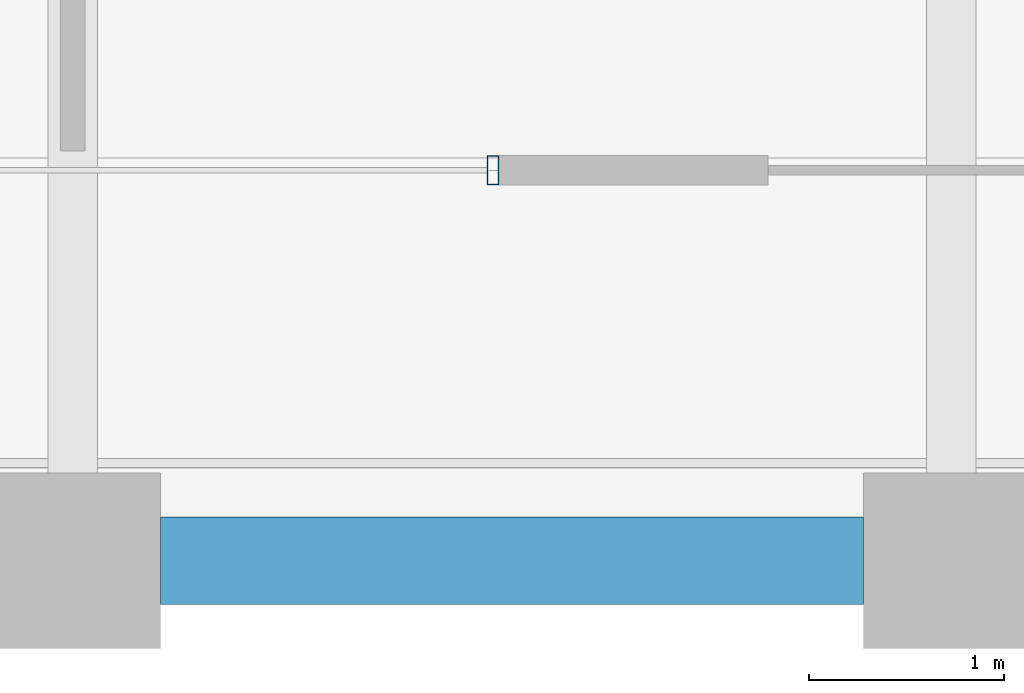
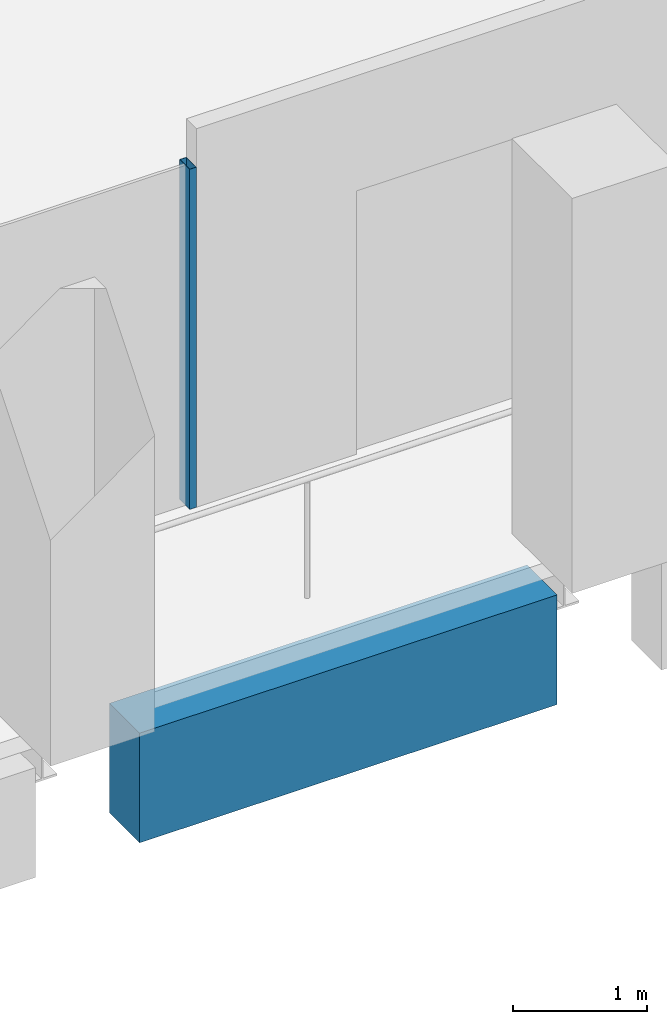
# One storey, part 7 of 40: 1 beam, 1 member, 1 element without a shape of its own.
"""IFC4 building model written with IfcOpenShell, lengths in metres."""

import ifcopenshell
import ifcopenshell.guid

model = None  # the IFC model being written
_history = None  # IfcOwnerHistory: only IFC2X3 demands one
_inside = {}  # id of a spatial element -> (the spatial element, [elements in it])
_under = {}  # id of a project, library or spatial element -> (it, [spatial elements below it])
_declared = {}  # id of a project -> (the project, [libraries it declares])
_typed = {}  # id of a type object -> (the type object, [elements of that type])
_made_of = {}  # id of a material, layer set ... -> (it, [elements and type objects made of it])


def new_model(schema):
    """Start an empty IFC model of exactly this schema.

    Asked for "IFC4X3", IfcOpenShell would pick the latest addendum, in which some entities
    have other attributes; the version numbers below select the first issue.
    IFC2X3 requires an IfcOwnerHistory on every rooted entity: one is made here for all.
    """
    global model, _history
    if schema == "IFC4X3":
        model = ifcopenshell.file(schema_version=(4, 3, 0, 0))
    else:
        model = ifcopenshell.file(schema=schema)
    _inside.clear()
    _under.clear()
    _declared.clear()
    _typed.clear()
    _made_of.clear()
    _history = None
    if model.schema == "IFC2X3":
        org = make("IfcOrganization", Name="unknown")
        user = make(
            "IfcPersonAndOrganization",
            ThePerson=make("IfcPerson", FamilyName="unknown"),
            TheOrganization=org,
        )
        app = make(
            "IfcApplication",
            ApplicationDeveloper=org,
            Version="unknown",
            ApplicationFullName="unknown",
            ApplicationIdentifier="unknown",
        )
        _history = make(
            "IfcOwnerHistory",
            OwningUser=user,
            OwningApplication=app,
            ChangeAction="ADDED",
            CreationDate=0,
        )
    return model


def make(cls, **values):
    """One entity of the class cls with the attributes given. An attribute that is None is left unset."""
    return model.create_entity(
        cls, **{name: value for name, value in values.items() if value is not None}
    )


def rooted(cls, **values):
    """An entity with a GlobalId (a new one), such as an element, a storey or a relation."""
    return make(cls, GlobalId=ifcopenshell.guid.new(), OwnerHistory=_history, **values)


def si_unit(unit_type, name, prefix=None):
    """IfcSIUnit, for example si_unit("LENGTHUNIT", "METRE", prefix="MILLI")."""
    return make("IfcSIUnit", UnitType=unit_type, Prefix=prefix, Name=name)


def assignment(units):
    """IfcUnitAssignment: the units of a project."""
    return None if units is None else make("IfcUnitAssignment", Units=units)


def point(xyz):
    """IfcCartesianPoint."""
    return None if xyz is None else make("IfcCartesianPoint", Coordinates=xyz)


def direction(xyz):
    """IfcDirection."""
    return None if xyz is None else make("IfcDirection", DirectionRatios=xyz)


def frame(location, z_axis=None, x_axis=None):
    """IfcAxis2Placement3D, a coordinate frame: its origin and axes. An axis left out is left unset."""
    return make(
        "IfcAxis2Placement3D",
        Location=point(location),
        Axis=direction(z_axis),
        RefDirection=direction(x_axis),
    )


def frame_2d(location, x_axis=None):
    """IfcAxis2Placement2D, a coordinate frame in the plane: its origin and x axis."""
    return make(
        "IfcAxis2Placement2D", Location=point(location), RefDirection=direction(x_axis)
    )


def origin():
    """The frame at (0, 0, 0) with its axes left unset."""
    return frame((0.0, 0.0, 0.0))


def origin_2d():
    """The frame at (0, 0) in the plane with its x axis left unset."""
    return frame_2d((0.0, 0.0))


def place(relative_to, where):
    """IfcLocalPlacement: puts the frame where relative to a parent placement (None: the world)."""
    return make(
        "IfcLocalPlacement", PlacementRelTo=relative_to, RelativePlacement=where
    )


def context(
    kind, dimensions, precision=None, world=None, true_north=None, identifier=None
):
    """IfcGeometricRepresentationContext, for example the 3D "Model" context."""
    return make(
        "IfcGeometricRepresentationContext",
        ContextIdentifier=identifier,
        ContextType=kind,
        CoordinateSpaceDimension=dimensions,
        Precision=precision,
        WorldCoordinateSystem=world,
        TrueNorth=true_north,
    )


def subcontext(parent, identifier, kind, view, scale=None):
    """IfcGeometricRepresentationSubContext, for example "Body" below "Model"."""
    return make(
        "IfcGeometricRepresentationSubContext",
        ContextIdentifier=identifier,
        ContextType=kind,
        ParentContext=parent,
        TargetScale=scale,
        TargetView=view,
    )


def project(units=None, contexts=None):
    """IfcProject with its units and contexts."""
    return rooted(
        "IfcProject",
        Name="project",
        RepresentationContexts=contexts,
        UnitsInContext=assignment(units),
    )


def spatial(cls, under=None, at=None, **own):
    """A site, building, storey or space (cls), placed at a placement, below another one or the project."""
    s = rooted(cls, ObjectPlacement=at, **own)
    if under is not None:
        _under.setdefault(under.id(), (under, []))[1].append(s)
    return s


def profile(cls, at=None, kind="AREA", **sizes):
    """A parametric profile (cls). Its sizes go by their IFC names, for example OverallWidth=200.0."""
    return make(cls, ProfileType=kind, Position=at, **sizes)


def rectangle(**sizes):
    """IfcRectangleProfileDef."""
    return profile("IfcRectangleProfileDef", **sizes)


def hollow_rectangle(**sizes):
    """IfcRectangleHollowProfileDef."""
    return profile("IfcRectangleHollowProfileDef", **sizes)


def extrude(swept, where, along, depth):
    """IfcExtrudedAreaSolid: the profile swept, set in the frame where, extruded along a direction by depth."""
    return make(
        "IfcExtrudedAreaSolid",
        SweptArea=swept,
        Position=where,
        ExtrudedDirection=direction(along),
        Depth=depth,
    )


def shape(context_of_items, identifier, shape_type, items):
    """IfcShapeRepresentation: the items that make up one representation, for example the "Body"."""
    return make(
        "IfcShapeRepresentation",
        ContextOfItems=context_of_items,
        RepresentationIdentifier=identifier,
        RepresentationType=shape_type,
        Items=items,
    )


def material(Name=None, Category=None):
    """IfcMaterial."""
    return make("IfcMaterial", Name=Name, Category=Category)


def material_profile(
    of_material, cross_section, Name=None, Category=None, Priority=None
):
    """IfcMaterialProfile: a cross section and its material."""
    return make(
        "IfcMaterialProfile",
        Name=Name,
        Material=of_material,
        Profile=cross_section,
        Priority=Priority,
        Category=Category,
    )


def profile_set(profiles, Name=None, composite=None):
    """IfcMaterialProfileSet."""
    return make(
        "IfcMaterialProfileSet",
        Name=Name,
        MaterialProfiles=profiles,
        CompositeProfile=composite,
    )


def made_of(thing, what):
    """Note that an element or type object is made of a material, layer set ...; save() writes the relation."""
    if what is not None:
        _made_of.setdefault(what.id(), (what, []))[1].append(thing)
    return thing


def type_object(cls, material=None, **own):
    """A type object (cls), such as IfcWallType, which elements share."""
    return made_of(rooted(cls, **own), material)


def element(
    cls,
    number,
    at=None,
    inside=None,
    cuts=None,
    type_object=None,
    material=None,
    context=None,
    identifier="Body",
    shape_type=None,
    held_by="IfcProductDefinitionShape",
    body=None,
    shapes=None,
    **own,
):
    """One element of the class cls, such as IfcWall. Its Tag is "e" and its number.

    at: its placement. inside: the storey or other place that contains it. cuts: it is an
    opening in that element (IfcRelVoidsElement). A single representation is given by context,
    identifier, shape_type and body (its items); several are given by shapes. held_by: the class
    of the entity that holds the representations. save() writes the other relations.
    """
    e = rooted(cls, Tag="e%d" % number, ObjectPlacement=at, **own)
    if body is not None:
        shapes = [shape(context, identifier, shape_type, body)]
    if shapes is not None:
        e.Representation = make(held_by, Representations=shapes)
    if inside is not None:
        _inside.setdefault(inside.id(), (inside, []))[1].append(e)
    if cuts is not None:
        rooted(
            "IfcRelVoidsElement", RelatingBuildingElement=cuts, RelatedOpeningElement=e
        )
    if type_object is not None:
        _typed.setdefault(type_object.id(), (type_object, []))[1].append(e)
    return made_of(e, material)


def aggregate(whole, parts):
    """IfcRelAggregates: a whole, such as a stair, and the parts it consists of."""
    return rooted("IfcRelAggregates", RelatingObject=whole, RelatedObjects=parts)


def save(model, path):
    """Write the relations noted so far, then the file.

    IfcRelAggregates (storeys below a building ...), IfcRelContainedInSpatialStructure (elements
    in a storey), IfcRelDefinesByType, IfcRelAssociatesMaterial and IfcRelDeclares: one each for
    every whole, place, type object, material and project.
    """
    for whole, parts in _under.values():
        aggregate(whole, parts)
    for where, things in _inside.values():
        rooted(
            "IfcRelContainedInSpatialStructure",
            RelatedElements=things,
            RelatingStructure=where,
        )
    for kind, things in _typed.values():
        rooted("IfcRelDefinesByType", RelatedObjects=things, RelatingType=kind)
    for what, things in _made_of.values():
        rooted("IfcRelAssociatesMaterial", RelatedObjects=things, RelatingMaterial=what)
    for by, libraries in _declared.values():
        rooted("IfcRelDeclares", RelatingContext=by, RelatedDefinitions=libraries)
    model.write(path)


model = new_model("IFC4")

# Units and contexts
model_context = context("Model", 3, precision=1e-05, world=origin(), true_north=direction((0.0, 1.0)))
body_context = subcontext(model_context, "Body", "Model", "MODEL_VIEW")
ifc_project = project(units=[si_unit("LENGTHUNIT", "METRE"), si_unit("AREAUNIT", "SQUARE_METRE"), si_unit("VOLUMEUNIT", "CUBIC_METRE"), si_unit("PLANEANGLEUNIT", "RADIAN"), si_unit("MASSUNIT", "GRAM", prefix="KILO")], contexts=[model_context])

# Site, building, storey
site_placement = place(None, origin())
site = spatial("IfcSite", under=ifc_project, at=site_placement, CompositionType="ELEMENT")
building_placement = place(site_placement, origin())
building = spatial("IfcBuilding", under=site, at=building_placement, Name="Altepetl Exchange Towers", CompositionType="ELEMENT")
storey_placement = place(building_placement, frame((0.0, 0.0, 169.0)))
storey = spatial("IfcBuildingStorey", under=building, at=storey_placement, Name="L42", CompositionType="ELEMENT", Elevation=169.0)

# Curtain wall, member
ifc_material_1 = material(Name="Aluminium 6063-T6 glazing", Category="aluminium")
curtain_wall_type = type_object("IfcCurtainWallType", Name="Loggia glazing system", PredefinedType="NOTDEFINED", material=ifc_material_1)
curtain_wall_placement = place(storey_placement, origin())
curtain_wall = element("IfcCurtainWall", 1, at=curtain_wall_placement, inside=storey, type_object=curtain_wall_type, Name="CW1 run", PredefinedType="NOTDEFINED")
ifc_material_2 = material(Name="Aluminium 6063-T6", Category="aluminium")
ifc_material_profile_1 = material_profile(ifc_material_2, hollow_rectangle(XDim=0.06005859375, YDim=0.14990234375, WallThickness=0.0029296875, at=origin_2d()), Name="Mullion 60x150 aluminium")
ifc_profile_set_1 = profile_set([ifc_material_profile_1], Name="Aluminium 6063-T6")
member_type = type_object("IfcMemberType", Name="Mullion 60x150 aluminium", PredefinedType="MULLION", material=ifc_profile_set_1)
member_placement = place(storey_placement, frame((47.152099609375, 29.0, 0.0)))
member = element("IfcMember", 2, at=member_placement, type_object=member_type, Name="MU1 mullion", PredefinedType="MULLION", context=body_context, shape_type="SweptSolid", body=[
    extrude(hollow_rectangle(XDim=0.06005859375, YDim=0.14990234375, WallThickness=0.0029296875, at=origin_2d()), origin(), (0.0, 0.0, 1.0), 3.10009765625),
])
aggregate(curtain_wall, [member])

# Beam
ifc_material_3 = material(Name="Concrete C50/60 precast with cantera blanca facing", Category="concrete")
ifc_material_profile_2 = material_profile(ifc_material_3, rectangle(XDim=0.449951171875, YDim=1.0, at=origin_2d()), Name="450 x 1000")
ifc_profile_set_2 = profile_set([ifc_material_profile_2], Name="Concrete C50/60 precast with cantera blanca facing")
beam_type = type_object("IfcBeamType", Name="Spandrel beam 450x1000 cantera blanca", PredefinedType="SPANDREL", material=ifc_profile_set_2)
beam_placement = place(storey_placement, frame((45.449951171875, 27.0, -0.64990234375), z_axis=(1.0, 0.0, 0.0), x_axis=(0.0, 1.0, 0.0)))
element("IfcBeam", 3, at=beam_placement, inside=storey, type_object=beam_type, Name="sp:A:L42:003", PredefinedType="SPANDREL", context=body_context, shape_type="SweptSolid", body=[
    extrude(rectangle(XDim=0.449951171875, YDim=1.0, at=origin_2d()), origin(), (0.0, 0.0, 1.0), 3.60009765625),
])

save(model, "model.ifc")
